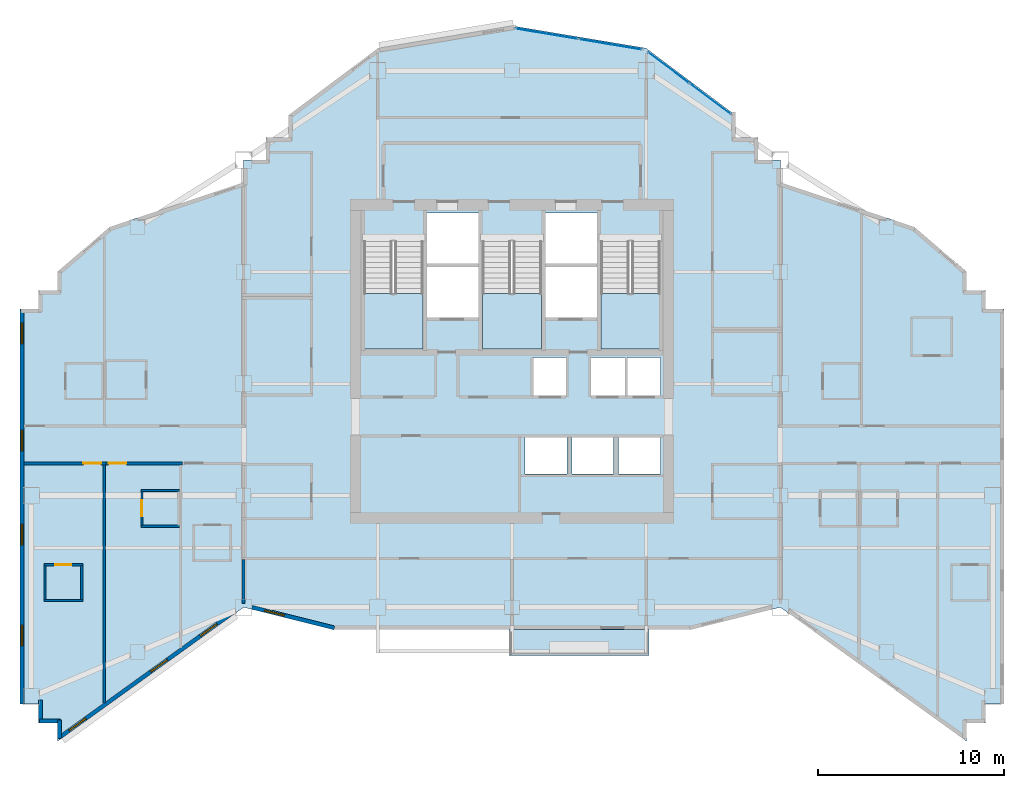
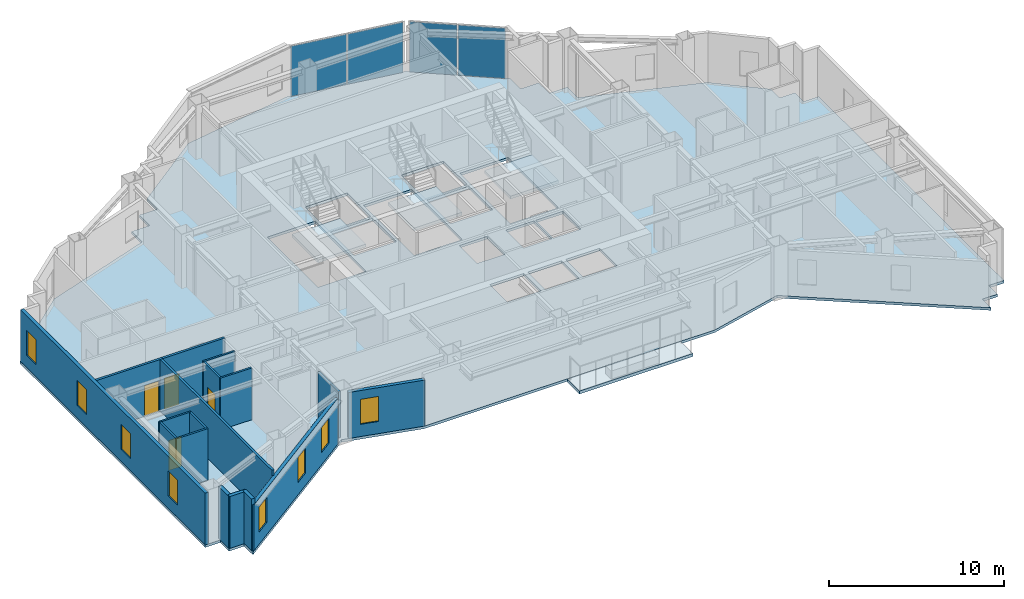
# One storey, part 4 of 11: 17 walls, 8 windows, 5 slabs, 4 doors, 4 plates, 12 openings, 5 elements without a shape of their own.
"""IFC4 building model written with IfcOpenShell, lengths in metres."""

from ifc_helpers import new_model, si_unit, direction, frame, frame_2d, origin, origin_2d, place, context, subcontext, project, spatial, polyline, rectangle, outline, extrude, material, layer, layer_set, type_object, element, fill, aggregate, save


model = new_model("IFC4")

# Units and contexts
model_context = context("Model", 3, precision=1e-05, world=origin(), true_north=direction((0.0, 1.0)))
body_context = subcontext(model_context, "Body", "Model", "MODEL_VIEW")
ifc_project = project(units=[si_unit("LENGTHUNIT", "METRE"), si_unit("AREAUNIT", "SQUARE_METRE"), si_unit("VOLUMEUNIT", "CUBIC_METRE"), si_unit("PLANEANGLEUNIT", "RADIAN"), si_unit("MASSUNIT", "GRAM", prefix="KILO")], contexts=[model_context])

# Site, building, storey
site_placement = place(None, origin())
site = spatial("IfcSite", under=ifc_project, at=site_placement, CompositionType="ELEMENT")
building_placement = place(site_placement, origin())
building = spatial("IfcBuilding", under=site, at=building_placement, Name="Haolan Belvedere Tower", CompositionType="ELEMENT")
storey_placement = place(building_placement, frame((0.0, 0.0, 199.39990234375)))
storey = spatial("IfcBuildingStorey", under=building, at=storey_placement, Name="L50", CompositionType="ELEMENT", Elevation=199.39990234375)

# Curtain wall, plates
ifc_material_1 = material(Name="Anodised champagne-silver aluminium 6063-T6 and Low-E glass", Category="aluminium")
ifc_layer_1 = layer(ifc_material_1, 0.14990234375, Name="Anodised champagne-silver aluminium 6063-T6 and Low-E glass")
ifc_layer_set_1 = layer_set([ifc_layer_1], Name="Anodised champagne-silver aluminium 6063-T6 and Low-E glass")
curtain_wall_type = type_object("IfcCurtainWallType", Name="CW-SYS-04", PredefinedType="NOTDEFINED", material=ifc_layer_set_1)
curtain_wall_1_placement = place(storey_placement, origin())
curtain_wall_1 = element("IfcCurtainWall", 1, at=curtain_wall_1_placement, inside=storey, type_object=curtain_wall_type, Name="L50 CW-SYS-04 ribbon curtain wall 20.1", PredefinedType="NOTDEFINED")
ifc_material_2 = material(Name="Double silver Low-E laminated insulating glass", Category="glass")
ifc_layer_2 = layer(ifc_material_2, 0.02392578125, Name="Double silver Low-E laminated insulating glass")
ifc_layer_set_2 = layer_set([ifc_layer_2], Name="Double silver Low-E laminated insulating glass")
plate_type = type_object("IfcPlateType", Name="CW-SYS-04-PNL", PredefinedType="CURTAIN_PANEL", material=ifc_layer_set_2)
plate_1_placement = place(storey_placement, frame((49.0390625, 48.883056640625, 0.052001953125), z_axis=(0.0, 0.0, 1.0), x_axis=(-0.799997871638, 0.600002837806, 0.0)))
plate_1 = element("IfcPlate", 2, at=plate_1_placement, type_object=plate_type, Name="CW-04 panel 1.1", PredefinedType="CURTAIN_PANEL", context=body_context, shape_type="SweptSolid", body=[
    extrude(rectangle(XDim=2.735107421875, YDim=0.02392578125, at=origin_2d()), origin(), (0.0, 0.0, 1.0), 3.51611328125),
])
plate_2_placement = place(storey_placement, frame((46.806396484375, 50.557861328125, 0.052001953125), z_axis=(0.0, 0.0, 1.0), x_axis=(-0.799997871638, 0.600002837806, 0.0)))
plate_2 = element("IfcPlate", 3, at=plate_2_placement, type_object=plate_type, Name="CW-04 panel 2.1", PredefinedType="CURTAIN_PANEL", context=body_context, shape_type="SweptSolid", body=[
    extrude(rectangle(XDim=2.735107421875, YDim=0.02392578125, at=origin_2d()), origin(), (0.0, 0.0, 1.0), 3.51611328125),
])
aggregate(curtain_wall_1, [plate_1, plate_2])

curtain_wall_2_placement = place(storey_placement, origin())
curtain_wall_2 = element("IfcCurtainWall", 4, at=curtain_wall_2_placement, inside=storey, type_object=curtain_wall_type, Name="L50 CW-SYS-04 ribbon curtain wall 21.1", PredefinedType="NOTDEFINED")
plate_3_placement = place(storey_placement, frame((43.683837890625, 51.807861328125, 0.052001953125), z_axis=(0.0, 0.0, 1.0), x_axis=(-0.98639276122, 0.164405962825, 0.0)))
plate_3 = element("IfcPlate", 5, at=plate_3_placement, type_object=plate_type, Name="CW-04 panel 1.1", PredefinedType="CURTAIN_PANEL", context=body_context, shape_type="SweptSolid", body=[
    extrude(rectangle(XDim=3.403076171875, YDim=0.02392578125, at=origin_2d()), origin(), (0.0, 0.0, 1.0), 3.51611328125),
])
plate_4_placement = place(storey_placement, frame((40.271728515625, 52.37646484375, 0.052001953125), z_axis=(0.0, 0.0, 1.0), x_axis=(-0.98639276122, 0.164405962825, 0.0)))
plate_4 = element("IfcPlate", 6, at=plate_4_placement, type_object=plate_type, Name="CW-04 panel 2.1", PredefinedType="CURTAIN_PANEL", context=body_context, shape_type="SweptSolid", body=[
    extrude(rectangle(XDim=3.403076171875, YDim=0.02392578125, at=origin_2d()), origin(), (0.0, 0.0, 1.0), 3.51611328125),
])
aggregate(curtain_wall_2, [plate_3, plate_4])

# Slabs
ifc_material_3 = material(Name="Concrete C40/50", Category="concrete")
ifc_layer_3 = layer(ifc_material_3, 0.2099609375, Name="Concrete C40/50")
ifc_layer_set_3 = layer_set([ifc_layer_3], Name="Concrete C40/50")
slab_type_1 = type_object("IfcSlabType", Name="SL-BAL-210", PredefinedType="FLOOR", material=ifc_layer_set_3)
slab_1_placement = place(storey_placement, frame((0.0, 0.0, -0.22998046875)))
element("IfcSlab", 7, at=slab_1_placement, inside=storey, type_object=slab_type_1, Name="L50 structural tree-planter balcony slab BAL-L50-S1", PredefinedType="FLOOR", context=body_context, shape_type="SweptSolid", body=[
    extrude(outline(polyline([(38.25, 19.02001953125), (45.75, 19.02001953125), (45.75, 20.39990234375), (38.25, 20.39990234375), (38.25, 19.02001953125)])), origin(), (0.0, 0.0, 1.0), 0.2099609375),
])
ifc_layer_4 = layer(ifc_material_3, 0.179931640625, Name="Concrete C40/50")
ifc_layer_set_4 = layer_set([ifc_layer_4], Name="Concrete C40/50")
slab_type_2 = type_object("IfcSlabType", Name="SL-FLR-180", PredefinedType="FLOOR", material=ifc_layer_set_4)
slab_2_placement = place(storey_placement, frame((0.0, 0.0, -0.179931640625)))
element("IfcSlab", 8, at=slab_2_placement, inside=storey, type_object=slab_type_2, Name="L50 structural floor slab", PredefinedType="FLOOR", context=body_context, shape_type="SweptSolid", body=[
    extrude(outline(polyline([(24.0, 21.60009765625), (28.800048828125, 20.39990234375), (48.0, 20.39990234375), (52.800048828125, 21.60009765625), (62.800048828125, 14.39990234375), (62.800048828125, 15.39990234375), (63.800048828125, 15.39990234375), (63.800048828125, 16.39990234375), (64.800048828125, 16.39990234375), (64.800048828125, 37.60009765625), (63.800048828125, 37.60009765625), (63.800048828125, 38.60009765625), (62.800048828125, 38.60009765625), (62.800048828125, 39.60009765625), (60.0, 42.0), (52.800048828125, 44.39990234375), (52.800048828125, 45.60009765625), (51.60009765625, 45.60009765625), (51.60009765625, 46.800048828125), (50.39990234375, 46.800048828125), (50.39990234375, 48.0), (45.60009765625, 51.60009765625), (38.39990234375, 52.800048828125), (31.199951171875, 51.60009765625), (26.39990234375, 48.0), (26.39990234375, 46.800048828125), (25.199951171875, 46.800048828125), (25.199951171875, 45.60009765625), (24.0, 45.60009765625), (24.0, 44.39990234375), (16.800048828125, 42.0), (14.0, 39.60009765625), (14.0, 38.60009765625), (13.0, 38.60009765625), (13.0, 37.60009765625), (12.0, 37.60009765625), (12.0, 16.800048828125), (12.0, 16.39990234375), (13.0, 16.39990234375), (13.0, 15.39990234375), (14.0, 15.39990234375), (14.0, 14.39990234375), (24.0, 21.60009765625)]), holes=[polyline([(30.449951171875, 41.22998046875), (30.449951171875, 35.449951171875), (33.6298828125, 35.449951171875), (33.6298828125, 41.22998046875), (30.449951171875, 41.22998046875)]), polyline([(36.81005859375, 41.22998046875), (36.81005859375, 35.449951171875), (39.989990234375, 35.449951171875), (39.989990234375, 41.22998046875), (36.81005859375, 41.22998046875)]), polyline([(43.169921875, 41.22998046875), (43.169921875, 35.449951171875), (46.35009765625, 35.449951171875), (46.35009765625, 41.22998046875), (43.169921875, 41.22998046875)]), polyline([(33.830078125, 40.050048828125), (36.610107421875, 40.050048828125), (36.610107421875, 42.75), (33.830078125, 42.75), (33.830078125, 40.050048828125)]), polyline([(33.830078125, 37.14990234375), (36.610107421875, 37.14990234375), (36.610107421875, 39.85009765625), (33.830078125, 39.85009765625), (33.830078125, 37.14990234375)]), polyline([(40.18994140625, 40.050048828125), (42.969970703125, 40.050048828125), (42.969970703125, 42.75), (40.18994140625, 42.75), (40.18994140625, 40.050048828125)]), polyline([(40.18994140625, 37.14990234375), (42.969970703125, 37.14990234375), (42.969970703125, 39.85009765625), (40.18994140625, 39.85009765625), (40.18994140625, 37.14990234375)]), polyline([(39.5400390625, 32.949951171875), (41.389892578125, 32.949951171875), (41.389892578125, 35.0), (39.5400390625, 35.0), (39.5400390625, 32.949951171875)]), polyline([(42.6201171875, 32.949951171875), (44.469970703125, 32.949951171875), (44.469970703125, 35.0), (42.6201171875, 35.0), (42.6201171875, 32.949951171875)]), polyline([(44.580078125, 32.949951171875), (46.3798828125, 32.949951171875), (46.3798828125, 35.0), (44.580078125, 35.0), (44.580078125, 32.949951171875)]), polyline([(39.10009765625, 28.75), (41.340087890625, 28.75), (41.340087890625, 30.75), (39.10009765625, 30.75), (39.10009765625, 28.75)]), polyline([(41.610107421875, 28.75), (43.85009765625, 28.75), (43.85009765625, 30.75), (41.610107421875, 30.75), (41.610107421875, 28.75)]), polyline([(44.1201171875, 28.75), (46.360107421875, 28.75), (46.360107421875, 30.75), (44.1201171875, 30.75), (44.1201171875, 28.75)])]), origin(), (0.0, 0.0, 1.0), 0.179931640625),
])

# Stair, slab
stair_type = type_object("IfcStairType", Name="STR-DL-22R-173", PredefinedType="HALF_TURN_STAIR", material=ifc_material_3)
stair_1_placement = place(storey_placement, origin())
stair_1 = element("IfcStair", 9, at=stair_1_placement, inside=storey, type_object=stair_type, Name="L50 Smokeproof Core Exit Stair ST1", PredefinedType="HALF_TURN_STAIR")
ifc_layer_5 = layer(ifc_material_3, 0.199951171875, Name="Concrete C40/50")
ifc_layer_set_5 = layer_set([ifc_layer_5], Name="Concrete C40/50")
slab_type_3 = type_object("IfcSlabType", Name="SL-LAND-200", PredefinedType="LANDING", material=ifc_layer_set_5)
slab_3_placement = place(storey_placement, frame((0.0, 0.0, 1.7001953125)))
slab_3 = element("IfcSlab", 10, at=slab_3_placement, type_object=slab_type_3, Name="ST1 landing 1", PredefinedType="LANDING", context=body_context, shape_type="SweptSolid", body=[
    extrude(outline(polyline([(30.449951171875, 38.429931640625), (30.449951171875, 35.449951171875), (33.6298828125, 35.449951171875), (33.6298828125, 38.429931640625), (30.449951171875, 38.429931640625)])), origin(), (0.0, 0.0, 1.0), 0.199951171875),
])
aggregate(stair_1, [slab_3])

stair_2_placement = place(storey_placement, origin())
stair_2 = element("IfcStair", 11, at=stair_2_placement, inside=storey, type_object=stair_type, Name="L50 Smokeproof Core Exit Stair ST3", PredefinedType="HALF_TURN_STAIR")
slab_4_placement = place(storey_placement, frame((0.0, 0.0, 1.7001953125)))
slab_4 = element("IfcSlab", 12, at=slab_4_placement, type_object=slab_type_3, Name="ST3 landing 1", PredefinedType="LANDING", context=body_context, shape_type="SweptSolid", body=[
    extrude(outline(polyline([(36.81005859375, 38.429931640625), (36.81005859375, 35.449951171875), (39.989990234375, 35.449951171875), (39.989990234375, 38.429931640625), (36.81005859375, 38.429931640625)])), origin(), (0.0, 0.0, 1.0), 0.199951171875),
])
aggregate(stair_2, [slab_4])

stair_3_placement = place(storey_placement, origin())
stair_3 = element("IfcStair", 13, at=stair_3_placement, inside=storey, type_object=stair_type, Name="L50 Smokeproof Core Exit Stair ST2", PredefinedType="HALF_TURN_STAIR")
slab_5_placement = place(storey_placement, frame((0.0, 0.0, 1.7001953125)))
slab_5 = element("IfcSlab", 14, at=slab_5_placement, type_object=slab_type_3, Name="ST2 landing 1", PredefinedType="LANDING", context=body_context, shape_type="SweptSolid", body=[
    extrude(outline(polyline([(43.169921875, 38.429931640625), (43.169921875, 35.449951171875), (46.35009765625, 35.449951171875), (46.35009765625, 38.429931640625), (43.169921875, 38.429931640625)])), origin(), (0.0, 0.0, 1.0), 0.199951171875),
])
aggregate(stair_3, [slab_5])

# Wall, openings, windows
ifc_material_4 = material(Name="Precast concrete C40/50", Category="concrete")
ifc_layer_6 = layer(ifc_material_4, 0.219970703125, Name="Precast concrete C40/50")
ifc_layer_set_6 = layer_set([ifc_layer_6], Name="Precast concrete C40/50")
wall_type_1 = type_object("IfcWallType", Name="WL-EXT-220", PredefinedType="SOLIDWALL", material=ifc_layer_set_6)
wall_1_placement = place(storey_placement, frame((12.110107421875, 37.544921875, 0.0), z_axis=(0.0, 0.0, 1.0), x_axis=(0.0, -1.0, 0.0)))
wall_1 = element("IfcWall", 15, at=wall_1_placement, inside=storey, type_object=wall_type_1, Name="L50 pale-metal exterior spandrel wall 35.1", PredefinedType="SOLIDWALL", context=body_context, shape_type="SweptSolid", body=[
    extrude(rectangle(XDim=21.14501953125, YDim=0.219970703125, at=frame_2d((10.572509765625, 0.0))), origin(), (0.0, 0.0, 1.0), 3.6201171875),
])
opening_1_placement = place(wall_1_placement, frame((0.699951171875, 0.0, 0.85009765625)))
opening_1 = element("IfcOpeningElement", 16, at=opening_1_placement, cuts=wall_1, Name="Opening W-03", PredefinedType="OPENING", context=body_context, shape_type="SweptSolid", body=[
    extrude(rectangle(XDim=1.10009765625, YDim=1.75, at=frame_2d((0.550048828125, 0.875))), frame((0.0, 0.119873046875, 0.0), z_axis=(0.0, -1.0, 0.0), x_axis=(1.0, 0.0, 0.0)), (0.0, 0.0, 1.0), 0.239990234375),
])
opening_2_placement = place(wall_1_placement, frame((6.449951171875, 0.0, 0.85009765625)))
opening_2 = element("IfcOpeningElement", 17, at=opening_2_placement, cuts=wall_1, Name="Opening W-03", PredefinedType="OPENING", context=body_context, shape_type="SweptSolid", body=[
    extrude(rectangle(XDim=1.10009765625, YDim=1.75, at=frame_2d((0.550048828125, 0.875))), frame((0.0, 0.119873046875, 0.0), z_axis=(0.0, -1.0, 0.0), x_axis=(1.0, 0.0, 0.0)), (0.0, 0.0, 1.0), 0.239990234375),
])
opening_3_placement = place(wall_1_placement, frame((11.5, 0.0, 0.85009765625)))
opening_3 = element("IfcOpeningElement", 18, at=opening_3_placement, cuts=wall_1, Name="Opening W-03", PredefinedType="OPENING", context=body_context, shape_type="SweptSolid", body=[
    extrude(rectangle(XDim=1.10009765625, YDim=1.75, at=frame_2d((0.550048828125, 0.875))), frame((0.0, 0.119873046875, 0.0), z_axis=(0.0, -1.0, 0.0), x_axis=(1.0, 0.0, 0.0)), (0.0, 0.0, 1.0), 0.239990234375),
])
opening_4_placement = place(wall_1_placement, frame((16.89990234375, 0.0, 0.85009765625)))
opening_4 = element("IfcOpeningElement", 19, at=opening_4_placement, cuts=wall_1, Name="Opening W-03", PredefinedType="OPENING", context=body_context, shape_type="SweptSolid", body=[
    extrude(rectangle(XDim=1.10009765625, YDim=1.75, at=frame_2d((0.550048828125, 0.875))), frame((0.0, 0.119873046875, 0.0), z_axis=(0.0, -1.0, 0.0), x_axis=(1.0, 0.0, 0.0)), (0.0, 0.0, 1.0), 0.239990234375),
])
ifc_material_5 = material(Name="Anodised aluminium 6063-T6 and Low-E glass", Category="aluminium")
window_type = type_object("IfcWindowType", Name="WN-DECO-Z3", PartitioningType="SINGLE_PANEL", PredefinedType="WINDOW", material=ifc_material_5)
window_1_placement = place(opening_1_placement, origin())
window_1 = element("IfcWindow", 20, at=window_1_placement, inside=storey, type_object=window_type, Name="L50 Art Deco chevron window 1", OverallHeight=1.75, OverallWidth=1.10009765625, PartitioningType="SINGLE_PANEL", PredefinedType="WINDOW", context=body_context, shape_type="SweptSolid", body=[
    extrude(rectangle(XDim=1.10009765625, YDim=1.75, at=frame_2d((0.550048828125, 0.875))), frame((0.0, 0.030029296875, 0.0), z_axis=(0.0, -1.0, 0.0), x_axis=(1.0, 0.0, 0.0)), (0.0, 0.0, 1.0), 0.06005859375),
])
fill(opening_1, window_1)
window_2_placement = place(opening_2_placement, origin())
window_2 = element("IfcWindow", 21, at=window_2_placement, inside=storey, type_object=window_type, Name="L50 Art Deco chevron window 2", OverallHeight=1.75, OverallWidth=1.10009765625, PartitioningType="SINGLE_PANEL", PredefinedType="WINDOW", context=body_context, shape_type="SweptSolid", body=[
    extrude(rectangle(XDim=1.10009765625, YDim=1.75, at=frame_2d((0.550048828125, 0.875))), frame((0.0, 0.030029296875, 0.0), z_axis=(0.0, -1.0, 0.0), x_axis=(1.0, 0.0, 0.0)), (0.0, 0.0, 1.0), 0.06005859375),
])
fill(opening_2, window_2)
window_3_placement = place(opening_3_placement, origin())
window_3 = element("IfcWindow", 22, at=window_3_placement, inside=storey, type_object=window_type, Name="L50 Art Deco chevron window 3", OverallHeight=1.75, OverallWidth=1.10009765625, PartitioningType="SINGLE_PANEL", PredefinedType="WINDOW", context=body_context, shape_type="SweptSolid", body=[
    extrude(rectangle(XDim=1.10009765625, YDim=1.75, at=frame_2d((0.550048828125, 0.875))), frame((0.0, 0.030029296875, 0.0), z_axis=(0.0, -1.0, 0.0), x_axis=(1.0, 0.0, 0.0)), (0.0, 0.0, 1.0), 0.06005859375),
])
fill(opening_3, window_3)
window_4_placement = place(opening_4_placement, origin())
window_4 = element("IfcWindow", 23, at=window_4_placement, inside=storey, type_object=window_type, Name="L50 Art Deco chevron window 4", OverallHeight=1.75, OverallWidth=1.10009765625, PartitioningType="SINGLE_PANEL", PredefinedType="WINDOW", context=body_context, shape_type="SweptSolid", body=[
    extrude(rectangle(XDim=1.10009765625, YDim=1.75, at=frame_2d((0.550048828125, 0.875))), frame((0.0, 0.030029296875, 0.0), z_axis=(0.0, -1.0, 0.0), x_axis=(1.0, 0.0, 0.0)), (0.0, 0.0, 1.0), 0.06005859375),
])
fill(opening_4, window_4)

# Walls
wall_2_placement = place(storey_placement, frame((13.110107421875, 16.6201171875, 0.0), z_axis=(0.0, 0.0, 1.0), x_axis=(0.0, -1.0, 0.0)))
element("IfcWall", 24, at=wall_2_placement, inside=storey, type_object=wall_type_1, Name="L50 pale-metal exterior spandrel wall 37.1", PredefinedType="SOLIDWALL", context=body_context, shape_type="SweptSolid", body=[
    extrude(rectangle(XDim=1.1650390625, YDim=0.219970703125, at=frame_2d((0.58251953125, 0.0))), origin(), (0.0, 0.0, 1.0), 3.6201171875),
])
wall_3_placement = place(storey_placement, frame((13.054931640625, 15.510009765625, 0.0), z_axis=(0.0, 0.0, 1.0), x_axis=(1.0, 0.0, 0.0)))
element("IfcWall", 25, at=wall_3_placement, inside=storey, type_object=wall_type_1, Name="L50 pale-metal exterior spandrel wall 38.1", PredefinedType="SOLIDWALL", context=body_context, shape_type="SweptSolid", body=[
    extrude(rectangle(XDim=1.110107421875, YDim=0.219970703125, at=frame_2d((0.55517578125, 0.0))), origin(), (0.0, 0.0, 1.0), 3.6201171875),
])
wall_4_placement = place(storey_placement, frame((14.110107421875, 15.56494140625, 0.0), z_axis=(0.0, 0.0, 1.0), x_axis=(0.0, -1.0, 0.0)))
element("IfcWall", 26, at=wall_4_placement, inside=storey, type_object=wall_type_1, Name="L50 pale-metal exterior spandrel wall 39.1", PredefinedType="SOLIDWALL", context=body_context, shape_type="SweptSolid", body=[
    extrude(rectangle(XDim=1.005126953125, YDim=0.219970703125, at=frame_2d((0.50244140625, 0.0))), origin(), (0.0, 0.0, 1.0), 3.6201171875),
])

# Wall, openings, windows
wall_5_placement = place(storey_placement, frame((14.0654296875, 14.58251953125, 0.0), z_axis=(0.0, 0.0, 1.0), x_axis=(0.811534737332, 0.58430417601, 0.0)))
wall_5 = element("IfcWall", 27, at=wall_5_placement, inside=storey, type_object=wall_type_1, Name="L50 pale-metal exterior spandrel wall 40.1", PredefinedType="SOLIDWALL", context=body_context, shape_type="SweptSolid", body=[
    extrude(rectangle(XDim=11.697265625, YDim=0.219970703125, at=frame_2d((5.8486328125, 0.0))), origin(), (0.0, 0.0, 1.0), 3.215087890625),
])
opening_5_placement = place(wall_5_placement, frame((0.699951171875, 0.0, 0.85009765625)))
opening_5 = element("IfcOpeningElement", 28, at=opening_5_placement, cuts=wall_5, Name="Opening W-03", PredefinedType="OPENING", context=body_context, shape_type="SweptSolid", body=[
    extrude(rectangle(XDim=1.10009765625, YDim=1.75, at=frame_2d((0.550048828125, 0.875))), frame((0.0, 0.119873046875, 0.0), z_axis=(0.0, -1.0, 0.0), x_axis=(1.0, 0.0, 0.0)), (0.0, 0.0, 1.0), 0.239990234375),
])
opening_6_placement = place(wall_5_placement, frame((6.10009765625, 0.0, 0.85009765625)))
opening_6 = element("IfcOpeningElement", 29, at=opening_6_placement, cuts=wall_5, Name="Opening W-03", PredefinedType="OPENING", context=body_context, shape_type="SweptSolid", body=[
    extrude(rectangle(XDim=1.10009765625, YDim=1.75, at=frame_2d((0.550048828125, 0.875))), frame((0.0, 0.119873046875, 0.0), z_axis=(0.0, -1.0, 0.0), x_axis=(1.0, 0.0, 0.0)), (0.0, 0.0, 1.0), 0.239990234375),
])
opening_7_placement = place(wall_5_placement, frame((9.38037109375, 0.0, 0.85009765625)))
opening_7 = element("IfcOpeningElement", 30, at=opening_7_placement, cuts=wall_5, Name="Opening W-03", PredefinedType="OPENING", context=body_context, shape_type="SweptSolid", body=[
    extrude(rectangle(XDim=1.10009765625, YDim=1.75, at=frame_2d((0.550048828125, 0.875))), frame((0.0, 0.119873046875, 0.0), z_axis=(0.0, -1.0, 0.0), x_axis=(1.0, 0.0, 0.0)), (0.0, 0.0, 1.0), 0.239990234375),
])
window_5_placement = place(opening_5_placement, origin())
window_5 = element("IfcWindow", 31, at=window_5_placement, inside=storey, type_object=window_type, Name="L50 Art Deco chevron window 1", OverallHeight=1.75, OverallWidth=1.10009765625, PartitioningType="SINGLE_PANEL", PredefinedType="WINDOW", context=body_context, shape_type="SweptSolid", body=[
    extrude(rectangle(XDim=1.10009765625, YDim=1.75, at=frame_2d((0.550048828125, 0.875))), frame((0.0, 0.030029296875, 0.0), z_axis=(0.0, -1.0, 0.0), x_axis=(1.0, 0.0, 0.0)), (0.0, 0.0, 1.0), 0.06005859375),
])
fill(opening_5, window_5)
window_6_placement = place(opening_6_placement, origin())
window_6 = element("IfcWindow", 32, at=window_6_placement, inside=storey, type_object=window_type, Name="L50 Art Deco chevron window 2", OverallHeight=1.75, OverallWidth=1.10009765625, PartitioningType="SINGLE_PANEL", PredefinedType="WINDOW", context=body_context, shape_type="SweptSolid", body=[
    extrude(rectangle(XDim=1.10009765625, YDim=1.75, at=frame_2d((0.550048828125, 0.875))), frame((0.0, 0.030029296875, 0.0), z_axis=(0.0, -1.0, 0.0), x_axis=(1.0, 0.0, 0.0)), (0.0, 0.0, 1.0), 0.06005859375),
])
fill(opening_6, window_6)
window_7_placement = place(opening_7_placement, origin())
window_7 = element("IfcWindow", 33, at=window_7_placement, inside=storey, type_object=window_type, Name="L50 Art Deco guestroom window 1", OverallHeight=1.75, OverallWidth=1.10009765625, PartitioningType="SINGLE_PANEL", PredefinedType="WINDOW", context=body_context, shape_type="SweptSolid", body=[
    extrude(rectangle(XDim=1.10009765625, YDim=1.75, at=frame_2d((0.550048828125, 0.875))), frame((0.0, 0.030029296875, 0.0), z_axis=(0.0, -1.0, 0.0), x_axis=(1.0, 0.0, 0.0)), (0.0, 0.0, 1.0), 0.06005859375),
])
fill(opening_7, window_7)

# Wall, opening, window
wall_6_placement = place(storey_placement, frame((24.44189453125, 21.602783203125, 0.0), z_axis=(0.0, 0.0, 1.0), x_axis=(0.970145648609, -0.242523030833, 0.0)))
wall_6 = element("IfcWall", 34, at=wall_6_placement, inside=storey, type_object=wall_type_1, Name="L50 pale-metal exterior spandrel wall 41.1", PredefinedType="SOLIDWALL", context=body_context, shape_type="SweptSolid", body=[
    extrude(rectangle(XDim=4.561279296875, YDim=0.219970703125, at=frame_2d((2.28076171875, 0.0))), origin(), (0.0, 0.0, 1.0), 3.215087890625),
])
opening_8_placement = place(wall_6_placement, frame((0.699951171875, 0.0, 0.85009765625)))
opening_8 = element("IfcOpeningElement", 35, at=opening_8_placement, cuts=wall_6, Name="Opening W-03", PredefinedType="OPENING", context=body_context, shape_type="SweptSolid", body=[
    extrude(rectangle(XDim=1.10009765625, YDim=1.75, at=frame_2d((0.550048828125, 0.875))), frame((0.0, 0.119873046875, 0.0), z_axis=(0.0, -1.0, 0.0), x_axis=(1.0, 0.0, 0.0)), (0.0, 0.0, 1.0), 0.239990234375),
])
window_8_placement = place(opening_8_placement, origin())
window_8 = element("IfcWindow", 36, at=window_8_placement, inside=storey, type_object=window_type, Name="L50 Art Deco chevron window 1", OverallHeight=1.75, OverallWidth=1.10009765625, PartitioningType="SINGLE_PANEL", PredefinedType="WINDOW", context=body_context, shape_type="SweptSolid", body=[
    extrude(rectangle(XDim=1.10009765625, YDim=1.75, at=frame_2d((0.550048828125, 0.875))), frame((0.0, 0.030029296875, 0.0), z_axis=(0.0, -1.0, 0.0), x_axis=(1.0, 0.0, 0.0)), (0.0, 0.0, 1.0), 0.06005859375),
])
fill(opening_8, window_8)

# Wall
ifc_material_6 = material(Name="Double gypsum acoustic stud partition", Category="masonry")
ifc_layer_7 = layer(ifc_material_6, 0.14990234375, Name="Double gypsum acoustic stud partition")
ifc_layer_set_7 = layer_set([ifc_layer_7], Name="Double gypsum acoustic stud partition")
wall_type_2 = type_object("IfcWallType", Name="WL-PART-150", PredefinedType="PARTITIONING", material=ifc_layer_set_7)
wall_7_placement = place(storey_placement, frame((24.0, 21.818603515625, 0.0), z_axis=(0.0, 0.0, 1.0), x_axis=(0.0, 1.0, 0.0)))
element("IfcWall", 37, at=wall_7_placement, inside=storey, type_object=wall_type_2, Name="L50 interior partition IW-L50-KS1-W", PredefinedType="PARTITIONING", context=body_context, shape_type="SweptSolid", body=[
    extrude(rectangle(XDim=2.34130859375, YDim=0.14990234375, at=frame_2d((1.170654296875, 0.0))), origin(), (0.0, 0.0, 1.0), 3.215087890625),
])

# Wall, opening, door
wall_8_placement = place(storey_placement, frame((12.2119140625, 29.320068359375, 0.0), z_axis=(0.0, 0.0, 1.0), x_axis=(1.0, 0.0, 0.0)))
wall_8 = element("IfcWall", 38, at=wall_8_placement, inside=storey, type_object=wall_type_2, Name="L50 interior partition IW-L50-T2S1-N", PredefinedType="PARTITIONING", context=body_context, shape_type="SweptSolid", body=[
    extrude(rectangle(XDim=4.408203125, YDim=0.14990234375, at=frame_2d((2.2041015625, 0.0))), origin(), (0.0, 0.0, 1.0), 3.6201171875),
])
opening_9_placement = place(wall_8_placement, frame((4.1357421875, 0.0, 0.0), z_axis=(0.0, 0.0, 1.0), x_axis=(-1.0, 0.0, 0.0)))
opening_9 = element("IfcOpeningElement", 39, at=opening_9_placement, cuts=wall_8, Name="Opening ID-02", PredefinedType="OPENING", context=body_context, shape_type="SweptSolid", body=[
    extrude(rectangle(XDim=0.949951171875, YDim=2.14990234375, at=frame_2d((0.47509765625, 1.074951171875))), frame((0.0, 0.0849609375, 0.0), z_axis=(0.0, -1.0, 0.0), x_axis=(1.0, 0.0, 0.0)), (0.0, 0.0, 1.0), 0.169921875),
])
ifc_material_7 = material(Name="Acoustic oak veneer fire-rated timber", Category="wood")
door_type_1 = type_object("IfcDoorType", Name="DR-GUEST-950", OperationType="NOTDEFINED", PredefinedType="DOOR", material=ifc_material_7)
door_1_placement = place(opening_9_placement, origin())
door_1 = element("IfcDoor", 40, at=door_1_placement, inside=storey, type_object=door_type_1, Name="L50 door ID-L50-T2S1-ENT", OperationType="SINGLE_SWING_RIGHT", OverallHeight=2.14990234375, OverallWidth=0.949951171875, PredefinedType="DOOR", context=body_context, shape_type="SweptSolid", body=[
    extrude(rectangle(XDim=0.949951171875, YDim=2.14990234375, at=frame_2d((0.47509765625, 1.074951171875))), frame((0.0, 0.02490234375, 0.0), z_axis=(0.0, -1.0, 0.0), x_axis=(1.0, 0.0, 0.0)), (0.0, 0.0, 1.0), 0.050048828125),
])
fill(opening_9, door_1)

# Wall
wall_9_placement = place(storey_placement, frame((16.52001953125, 16.4755859375, 0.0), z_axis=(0.0, 0.0, 1.0), x_axis=(0.0, 1.0, 0.0)))
element("IfcWall", 41, at=wall_9_placement, inside=storey, type_object=wall_type_2, Name="L50 interior partition IW-L50-T2S1-E", PredefinedType="PARTITIONING", context=body_context, shape_type="SweptSolid", body=[
    extrude(rectangle(XDim=12.784423828125, YDim=0.14990234375, at=frame_2d((6.39208984375, 0.0))), origin(), (0.0, 0.0, 1.0), 3.6201171875),
])

# Wall, opening, door
wall_10_placement = place(storey_placement, frame((16.6220703125, 29.320068359375, 0.0), z_axis=(0.0, 0.0, 1.0), x_axis=(1.0, 0.0, 0.0)))
wall_10 = element("IfcWall", 42, at=wall_10_placement, inside=storey, type_object=wall_type_2, Name="L50 interior partition IW-L50-T2S2-N", PredefinedType="PARTITIONING", context=body_context, shape_type="SweptSolid", body=[
    extrude(rectangle(XDim=4.097900390625, YDim=0.14990234375, at=frame_2d((2.048828125, 0.0))), origin(), (0.0, 0.0, 1.0), 3.6201171875),
])
opening_10_placement = place(wall_10_placement, frame((1.08984375, 0.0, 0.0), z_axis=(0.0, 0.0, 1.0), x_axis=(-1.0, 0.0, 0.0)))
opening_10 = element("IfcOpeningElement", 43, at=opening_10_placement, cuts=wall_10, Name="Opening ID-02", PredefinedType="OPENING", context=body_context, shape_type="SweptSolid", body=[
    extrude(rectangle(XDim=0.949951171875, YDim=2.14990234375, at=frame_2d((0.47509765625, 1.074951171875))), frame((0.0, 0.0849609375, 0.0), z_axis=(0.0, -1.0, 0.0), x_axis=(1.0, 0.0, 0.0)), (0.0, 0.0, 1.0), 0.169921875),
])
door_2_placement = place(opening_10_placement, origin())
door_2 = element("IfcDoor", 44, at=door_2_placement, inside=storey, type_object=door_type_1, Name="L50 door ID-L50-T2S2-ENT", OperationType="SINGLE_SWING_LEFT", OverallHeight=2.14990234375, OverallWidth=0.949951171875, PredefinedType="DOOR", context=body_context, shape_type="SweptSolid", body=[
    extrude(rectangle(XDim=0.949951171875, YDim=2.14990234375, at=frame_2d((0.47509765625, 1.074951171875))), frame((0.0, 0.02490234375, 0.0), z_axis=(0.0, -1.0, 0.0), x_axis=(1.0, 0.0, 0.0)), (0.0, 0.0, 1.0), 0.050048828125),
])
fill(opening_10, door_2)

ifc_material_8 = material(Name="Moisture-resistant gypsum tile partition", Category="masonry")
ifc_layer_8 = layer(ifc_material_8, 0.1201171875, Name="Moisture-resistant gypsum tile partition")
ifc_layer_set_8 = layer_set([ifc_layer_8], Name="Moisture-resistant gypsum tile partition")
wall_type_3 = type_object("IfcWallType", Name="WL-WET-120", PredefinedType="PARTITIONING", material=ifc_layer_set_8)
wall_11_placement = place(storey_placement, frame((13.27490234375, 23.885009765625, 0.0), z_axis=(0.0, 0.0, 1.0), x_axis=(1.0, 0.0, 0.0)))
wall_11 = element("IfcWall", 45, at=wall_11_placement, inside=storey, type_object=wall_type_3, Name="L50 interior partition IW-L50-T2S1-BN", PredefinedType="PARTITIONING", context=body_context, shape_type="SweptSolid", body=[
    extrude(rectangle(XDim=2.10009765625, YDim=0.1201171875, at=frame_2d((1.050048828125, 0.0))), origin(), (0.0, 0.0, 1.0), 3.6201171875),
])
opening_11_placement = place(wall_11_placement, frame((1.47509765625, 0.0, 0.0), z_axis=(0.0, 0.0, 1.0), x_axis=(-1.0, 0.0, 0.0)))
opening_11 = element("IfcOpeningElement", 46, at=opening_11_placement, cuts=wall_11, Name="Opening ID-05", PredefinedType="OPENING", context=body_context, shape_type="SweptSolid", body=[
    extrude(rectangle(XDim=0.85009765625, YDim=2.10009765625, at=frame_2d((0.425048828125, 1.050048828125))), frame((0.0, 0.070068359375, 0.0), z_axis=(0.0, -1.0, 0.0), x_axis=(1.0, 0.0, 0.0)), (0.0, 0.0, 1.0), 0.14013671875),
])
ifc_material_9 = material(Name="Moisture-resistant lacquered timber", Category="wood")
door_type_2 = type_object("IfcDoorType", Name="DR-BATH-850", OperationType="NOTDEFINED", PredefinedType="DOOR", material=ifc_material_9)
door_3_placement = place(opening_11_placement, origin())
door_3 = element("IfcDoor", 47, at=door_3_placement, inside=storey, type_object=door_type_2, Name="L50 door ID-L50-T2S1-BATH", OperationType="SINGLE_SWING_LEFT", OverallHeight=2.10009765625, OverallWidth=0.85009765625, PredefinedType="DOOR", context=body_context, shape_type="SweptSolid", body=[
    extrude(rectangle(XDim=0.85009765625, YDim=2.10009765625, at=frame_2d((0.425048828125, 1.050048828125))), frame((0.0, 0.02490234375, 0.0), z_axis=(0.0, -1.0, 0.0), x_axis=(1.0, 0.0, 0.0)), (0.0, 0.0, 1.0), 0.050048828125),
])
fill(opening_11, door_3)

# Walls
wall_12_placement = place(storey_placement, frame((13.27490234375, 21.965087890625, 0.0), z_axis=(0.0, 0.0, 1.0), x_axis=(1.0, 0.0, 0.0)))
element("IfcWall", 48, at=wall_12_placement, inside=storey, type_object=wall_type_3, Name="L50 interior partition IW-L50-T2S1-BS", PredefinedType="PARTITIONING", context=body_context, shape_type="SweptSolid", body=[
    extrude(rectangle(XDim=2.10009765625, YDim=0.1201171875, at=frame_2d((1.050048828125, 0.0))), origin(), (0.0, 0.0, 1.0), 3.6201171875),
])
for number, where, z_axis, x_axis, name in (
    (49, (13.3349609375, 22.010009765625, 0.0), (0.0, 0.0, 1.0), (0.0, 1.0, 0.0), "L50 interior partition IW-L50-T2S1-BW"),
    (50, (15.31494140625, 22.010009765625, 0.0), (0.0, 0.0, 1.0), (0.0, 1.0, 0.0), "L50 interior partition IW-L50-T2S1-BE"),
):
    element("IfcWall", number, at=place(storey_placement, frame(where, z_axis=z_axis, x_axis=x_axis)), inside=storey, type_object=wall_type_3, Name=name, PredefinedType="PARTITIONING", context=body_context, shape_type="SweptSolid", body=[
        extrude(rectangle(XDim=1.830078125, YDim=0.1201171875, at=frame_2d((0.9150390625, 0.0))), origin(), (0.0, 0.0, 1.0), 3.6201171875),
    ])
for number, where, z_axis, x_axis, name in (
    (51, (18.47998046875, 27.8701171875, 0.0), (0.0, 0.0, 1.0), (1.0, 0.0, 0.0), "L50 interior partition IW-L50-T2S2-BN"),
    (52, (18.47998046875, 25.949951171875, 0.0), (0.0, 0.0, 1.0), (1.0, 0.0, 0.0), "L50 interior partition IW-L50-T2S2-BS"),
):
    element("IfcWall", number, at=place(storey_placement, frame(where, z_axis=z_axis, x_axis=x_axis)), inside=storey, type_object=wall_type_3, Name=name, PredefinedType="PARTITIONING", context=body_context, shape_type="SweptSolid", body=[
        extrude(rectangle(XDim=2.080078125, YDim=0.1201171875, at=frame_2d((1.0400390625, 0.0))), origin(), (0.0, 0.0, 1.0), 3.6201171875),
    ])

# Wall, opening, door
wall_13_placement = place(storey_placement, frame((18.5400390625, 25.9951171875, 0.0), z_axis=(0.0, 0.0, 1.0), x_axis=(0.0, 1.0, 0.0)))
wall_13 = element("IfcWall", 53, at=wall_13_placement, inside=storey, type_object=wall_type_3, Name="L50 interior partition IW-L50-T2S2-BW", PredefinedType="PARTITIONING", context=body_context, shape_type="SweptSolid", body=[
    extrude(rectangle(XDim=1.829833984375, YDim=0.1201171875, at=frame_2d((0.9150390625, 0.0))), origin(), (0.0, 0.0, 1.0), 3.6201171875),
])
opening_12_placement = place(wall_13_placement, frame((1.340087890625, 0.0, 0.0), z_axis=(0.0, 0.0, 1.0), x_axis=(-1.0, 0.0, 0.0)))
opening_12 = element("IfcOpeningElement", 54, at=opening_12_placement, cuts=wall_13, Name="Opening ID-05", PredefinedType="OPENING", context=body_context, shape_type="SweptSolid", body=[
    extrude(rectangle(XDim=0.85009765625, YDim=2.10009765625, at=frame_2d((0.425048828125, 1.050048828125))), frame((0.0, 0.070068359375, 0.0), z_axis=(0.0, -1.0, 0.0), x_axis=(1.0, 0.0, 0.0)), (0.0, 0.0, 1.0), 0.14013671875),
])
door_4_placement = place(opening_12_placement, origin())
door_4 = element("IfcDoor", 55, at=door_4_placement, inside=storey, type_object=door_type_2, Name="L50 door ID-L50-T2S2-BATH", OperationType="SINGLE_SWING_RIGHT", OverallHeight=2.10009765625, OverallWidth=0.85009765625, PredefinedType="DOOR", context=body_context, shape_type="SweptSolid", body=[
    extrude(rectangle(XDim=0.85009765625, YDim=2.10009765625, at=frame_2d((0.425048828125, 1.050048828125))), frame((0.0, 0.02490234375, 0.0), z_axis=(0.0, -1.0, 0.0), x_axis=(1.0, 0.0, 0.0)), (0.0, 0.0, 1.0), 0.050048828125),
])
fill(opening_12, door_4)

save(model, "model.ifc")
